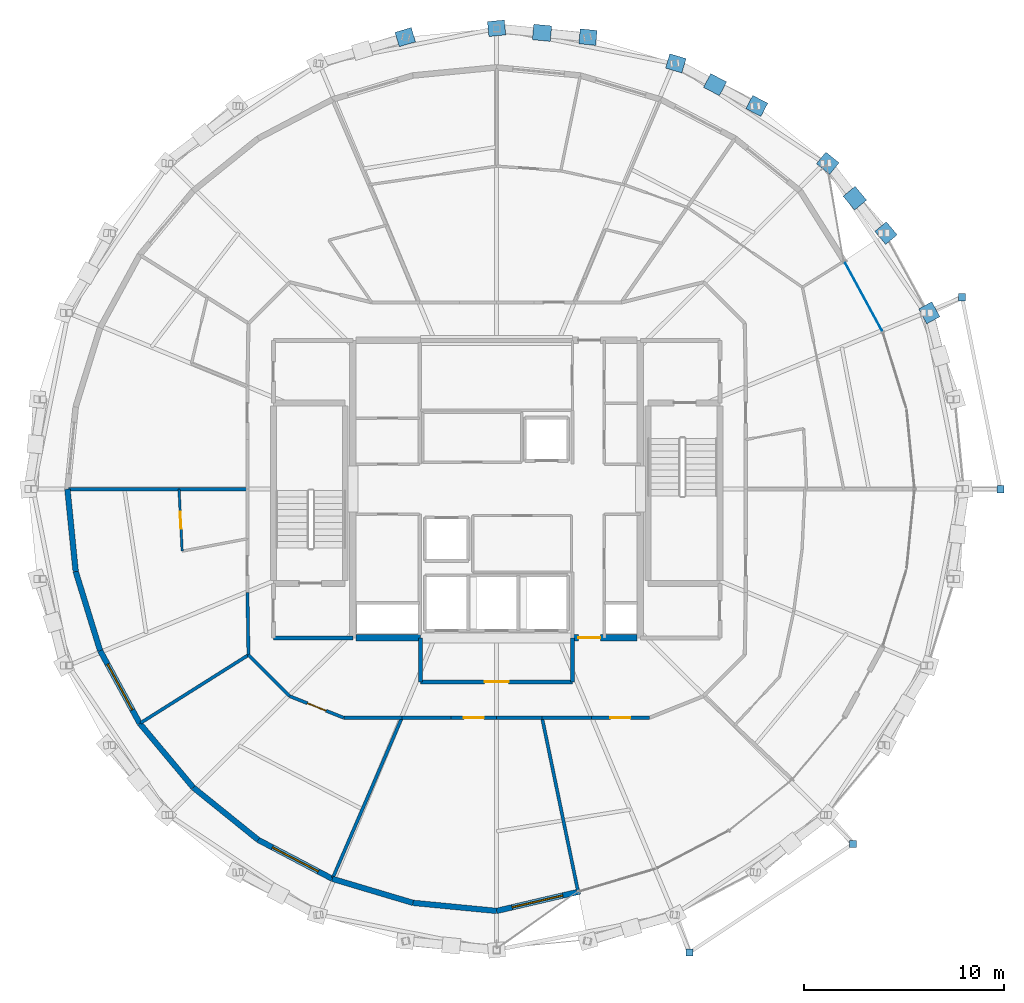
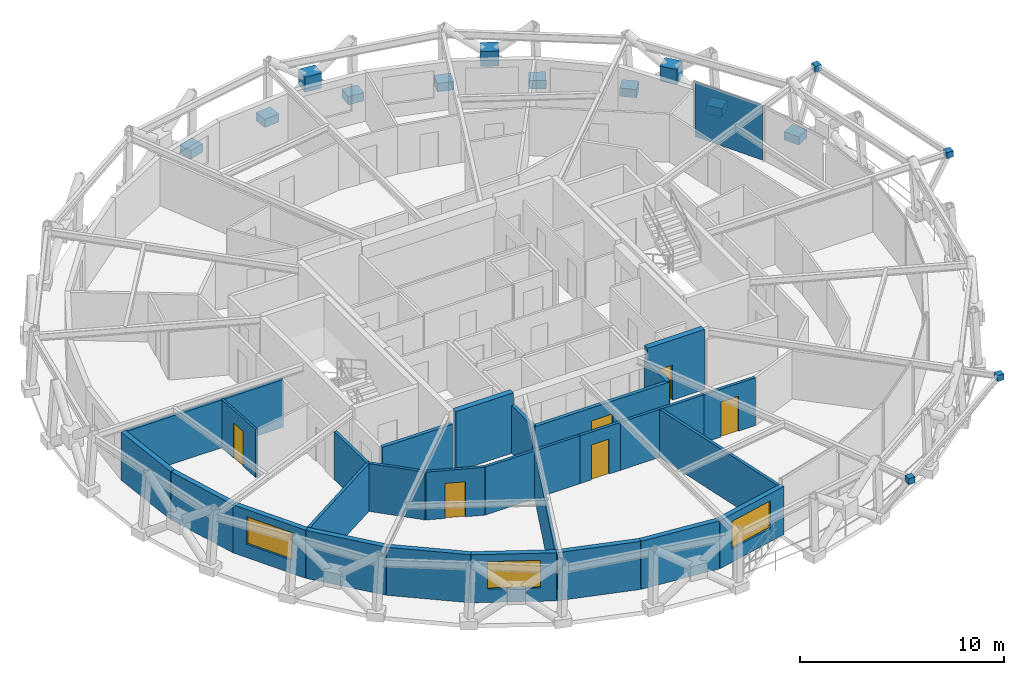
# One storey, part 13 of 18: 29 walls, 16 plates, 6 doors, 3 windows, 9 openings, 1 element without a shape of its own.
"""IFC4 building model written with IfcOpenShell, lengths in metres."""

import ifcopenshell
import ifcopenshell.guid

model = None  # the IFC model being written
_history = None  # IfcOwnerHistory: only IFC2X3 demands one
_inside = {}  # id of a spatial element -> (the spatial element, [elements in it])
_under = {}  # id of a project, library or spatial element -> (it, [spatial elements below it])
_declared = {}  # id of a project -> (the project, [libraries it declares])
_typed = {}  # id of a type object -> (the type object, [elements of that type])
_made_of = {}  # id of a material, layer set ... -> (it, [elements and type objects made of it])


def new_model(schema):
    """Start an empty IFC model of exactly this schema.

    Asked for "IFC4X3", IfcOpenShell would pick the latest addendum, in which some entities
    have other attributes; the version numbers below select the first issue.
    IFC2X3 requires an IfcOwnerHistory on every rooted entity: one is made here for all.
    """
    global model, _history
    if schema == "IFC4X3":
        model = ifcopenshell.file(schema_version=(4, 3, 0, 0))
    else:
        model = ifcopenshell.file(schema=schema)
    _inside.clear()
    _under.clear()
    _declared.clear()
    _typed.clear()
    _made_of.clear()
    _history = None
    if model.schema == "IFC2X3":
        org = make("IfcOrganization", Name="unknown")
        user = make(
            "IfcPersonAndOrganization",
            ThePerson=make("IfcPerson", FamilyName="unknown"),
            TheOrganization=org,
        )
        app = make(
            "IfcApplication",
            ApplicationDeveloper=org,
            Version="unknown",
            ApplicationFullName="unknown",
            ApplicationIdentifier="unknown",
        )
        _history = make(
            "IfcOwnerHistory",
            OwningUser=user,
            OwningApplication=app,
            ChangeAction="ADDED",
            CreationDate=0,
        )
    return model


def make(cls, **values):
    """One entity of the class cls with the attributes given. An attribute that is None is left unset."""
    return model.create_entity(
        cls, **{name: value for name, value in values.items() if value is not None}
    )


def rooted(cls, **values):
    """An entity with a GlobalId (a new one), such as an element, a storey or a relation."""
    return make(cls, GlobalId=ifcopenshell.guid.new(), OwnerHistory=_history, **values)


def si_unit(unit_type, name, prefix=None):
    """IfcSIUnit, for example si_unit("LENGTHUNIT", "METRE", prefix="MILLI")."""
    return make("IfcSIUnit", UnitType=unit_type, Prefix=prefix, Name=name)


def assignment(units):
    """IfcUnitAssignment: the units of a project."""
    return None if units is None else make("IfcUnitAssignment", Units=units)


def point(xyz):
    """IfcCartesianPoint."""
    return None if xyz is None else make("IfcCartesianPoint", Coordinates=xyz)


def direction(xyz):
    """IfcDirection."""
    return None if xyz is None else make("IfcDirection", DirectionRatios=xyz)


def frame(location, z_axis=None, x_axis=None):
    """IfcAxis2Placement3D, a coordinate frame: its origin and axes. An axis left out is left unset."""
    return make(
        "IfcAxis2Placement3D",
        Location=point(location),
        Axis=direction(z_axis),
        RefDirection=direction(x_axis),
    )


def frame_2d(location, x_axis=None):
    """IfcAxis2Placement2D, a coordinate frame in the plane: its origin and x axis."""
    return make(
        "IfcAxis2Placement2D", Location=point(location), RefDirection=direction(x_axis)
    )


def origin():
    """The frame at (0, 0, 0) with its axes left unset."""
    return frame((0.0, 0.0, 0.0))


def origin_2d():
    """The frame at (0, 0) in the plane with its x axis left unset."""
    return frame_2d((0.0, 0.0))


def place(relative_to, where):
    """IfcLocalPlacement: puts the frame where relative to a parent placement (None: the world)."""
    return make(
        "IfcLocalPlacement", PlacementRelTo=relative_to, RelativePlacement=where
    )


def context(
    kind, dimensions, precision=None, world=None, true_north=None, identifier=None
):
    """IfcGeometricRepresentationContext, for example the 3D "Model" context."""
    return make(
        "IfcGeometricRepresentationContext",
        ContextIdentifier=identifier,
        ContextType=kind,
        CoordinateSpaceDimension=dimensions,
        Precision=precision,
        WorldCoordinateSystem=world,
        TrueNorth=true_north,
    )


def subcontext(parent, identifier, kind, view, scale=None):
    """IfcGeometricRepresentationSubContext, for example "Body" below "Model"."""
    return make(
        "IfcGeometricRepresentationSubContext",
        ContextIdentifier=identifier,
        ContextType=kind,
        ParentContext=parent,
        TargetScale=scale,
        TargetView=view,
    )


def project(units=None, contexts=None):
    """IfcProject with its units and contexts."""
    return rooted(
        "IfcProject",
        Name="project",
        RepresentationContexts=contexts,
        UnitsInContext=assignment(units),
    )


def spatial(cls, under=None, at=None, **own):
    """A site, building, storey or space (cls), placed at a placement, below another one or the project."""
    s = rooted(cls, ObjectPlacement=at, **own)
    if under is not None:
        _under.setdefault(under.id(), (under, []))[1].append(s)
    return s


def profile(cls, at=None, kind="AREA", **sizes):
    """A parametric profile (cls). Its sizes go by their IFC names, for example OverallWidth=200.0."""
    return make(cls, ProfileType=kind, Position=at, **sizes)


def rectangle(**sizes):
    """IfcRectangleProfileDef."""
    return profile("IfcRectangleProfileDef", **sizes)


def extrude(swept, where, along, depth):
    """IfcExtrudedAreaSolid: the profile swept, set in the frame where, extruded along a direction by depth."""
    return make(
        "IfcExtrudedAreaSolid",
        SweptArea=swept,
        Position=where,
        ExtrudedDirection=direction(along),
        Depth=depth,
    )


def shape(context_of_items, identifier, shape_type, items):
    """IfcShapeRepresentation: the items that make up one representation, for example the "Body"."""
    return make(
        "IfcShapeRepresentation",
        ContextOfItems=context_of_items,
        RepresentationIdentifier=identifier,
        RepresentationType=shape_type,
        Items=items,
    )


def material(Name=None, Category=None):
    """IfcMaterial."""
    return make("IfcMaterial", Name=Name, Category=Category)


def layer(
    of_material, thickness, ventilated=None, Name=None, Category=None, Priority=None
):
    """IfcMaterialLayer: one layer of a wall or slab, of a material (None: an air gap)."""
    return make(
        "IfcMaterialLayer",
        Material=of_material,
        LayerThickness=thickness,
        IsVentilated=ventilated,
        Name=Name,
        Category=Category,
        Priority=Priority,
    )


def layer_set(layers, Name=None):
    """IfcMaterialLayerSet."""
    return make("IfcMaterialLayerSet", MaterialLayers=layers, LayerSetName=Name)


def made_of(thing, what):
    """Note that an element or type object is made of a material, layer set ...; save() writes the relation."""
    if what is not None:
        _made_of.setdefault(what.id(), (what, []))[1].append(thing)
    return thing


def type_object(cls, material=None, **own):
    """A type object (cls), such as IfcWallType, which elements share."""
    return made_of(rooted(cls, **own), material)


def element(
    cls,
    number,
    at=None,
    inside=None,
    cuts=None,
    type_object=None,
    material=None,
    context=None,
    identifier="Body",
    shape_type=None,
    held_by="IfcProductDefinitionShape",
    body=None,
    shapes=None,
    **own,
):
    """One element of the class cls, such as IfcWall. Its Tag is "e" and its number.

    at: its placement. inside: the storey or other place that contains it. cuts: it is an
    opening in that element (IfcRelVoidsElement). A single representation is given by context,
    identifier, shape_type and body (its items); several are given by shapes. held_by: the class
    of the entity that holds the representations. save() writes the other relations.
    """
    e = rooted(cls, Tag="e%d" % number, ObjectPlacement=at, **own)
    if body is not None:
        shapes = [shape(context, identifier, shape_type, body)]
    if shapes is not None:
        e.Representation = make(held_by, Representations=shapes)
    if inside is not None:
        _inside.setdefault(inside.id(), (inside, []))[1].append(e)
    if cuts is not None:
        rooted(
            "IfcRelVoidsElement", RelatingBuildingElement=cuts, RelatedOpeningElement=e
        )
    if type_object is not None:
        _typed.setdefault(type_object.id(), (type_object, []))[1].append(e)
    return made_of(e, material)


def fill(opening, filler):
    """IfcRelFillsElement: the door or window that sits in an opening."""
    return rooted(
        "IfcRelFillsElement",
        RelatingOpeningElement=opening,
        RelatedBuildingElement=filler,
    )


def aggregate(whole, parts):
    """IfcRelAggregates: a whole, such as a stair, and the parts it consists of."""
    return rooted("IfcRelAggregates", RelatingObject=whole, RelatedObjects=parts)


def save(model, path):
    """Write the relations noted so far, then the file.

    IfcRelAggregates (storeys below a building ...), IfcRelContainedInSpatialStructure (elements
    in a storey), IfcRelDefinesByType, IfcRelAssociatesMaterial and IfcRelDeclares: one each for
    every whole, place, type object, material and project.
    """
    for whole, parts in _under.values():
        aggregate(whole, parts)
    for where, things in _inside.values():
        rooted(
            "IfcRelContainedInSpatialStructure",
            RelatedElements=things,
            RelatingStructure=where,
        )
    for kind, things in _typed.values():
        rooted("IfcRelDefinesByType", RelatedObjects=things, RelatingType=kind)
    for what, things in _made_of.values():
        rooted("IfcRelAssociatesMaterial", RelatedObjects=things, RelatingMaterial=what)
    for by, libraries in _declared.values():
        rooted("IfcRelDeclares", RelatingContext=by, RelatedDefinitions=libraries)
    model.write(path)


model = new_model("IFC4")

# Units and contexts
model_context = context("Model", 3, precision=1e-05, world=origin(), true_north=direction((0.0, 1.0)))
body_context = subcontext(model_context, "Body", "Model", "MODEL_VIEW")
ifc_project = project(units=[si_unit("LENGTHUNIT", "METRE"), si_unit("AREAUNIT", "SQUARE_METRE"), si_unit("VOLUMEUNIT", "CUBIC_METRE"), si_unit("PLANEANGLEUNIT", "RADIAN"), si_unit("MASSUNIT", "GRAM", prefix="KILO")], contexts=[model_context])

# Site, building, storey
site_placement = place(None, origin())
site = spatial("IfcSite", under=ifc_project, at=site_placement, CompositionType="ELEMENT")
building_placement = place(site_placement, origin())
building = spatial("IfcBuilding", under=site, at=building_placement, Name="Veldorina Hangang Commons", CompositionType="ELEMENT")
storey_placement = place(building_placement, frame((0.0, 0.0, 243.60009765625)))
storey = spatial("IfcBuildingStorey", under=building, at=storey_placement, Name="L63", CompositionType="ELEMENT", Elevation=243.60009765625)

# Curtain wall, plate
ifc_material_1 = material(Name="Glass Low-E Selective", Category="glass")
ifc_layer_1 = layer(ifc_material_1, 0.179931640625)
ifc_layer_set_1 = layer_set([ifc_layer_1], Name="Glass Low-E Selective")
curtain_wall_type = type_object("IfcCurtainWallType", Name="CW-SYS-Z3", PredefinedType="NOTDEFINED", material=ifc_layer_set_1)
curtain_wall_placement = place(storey_placement, origin())
curtain_wall = element("IfcCurtainWall", 1, at=curtain_wall_placement, inside=storey, type_object=curtain_wall_type, Name="L63 unitised curtain wall CW-L63-R2", PredefinedType="NOTDEFINED")
ifc_material_2 = material(Name="Glass Low-E Triple IGU", Category="glass")
ifc_layer_2 = layer(ifc_material_2, 0.0400390625)
ifc_layer_set_2 = layer_set([ifc_layer_2], Name="Glass Low-E Triple IGU")
plate_type_1 = type_object("IfcPlateType", Name="CW-PNL-VIS", PredefinedType="CURTAIN_PANEL", material=ifc_layer_set_2)
plate_1_placement = place(storey_placement, frame((50.37255859375, 33.64599609375, 0.014892578125), z_axis=(0.0, 0.0, 1.0), x_axis=(-0.478002144155, 0.878358668303, 0.0)))
plate_1 = element("IfcPlate", 2, at=plate_1_placement, type_object=plate_type_1, Name="CW-L63-R2 facet 5 glazed vision panel", PredefinedType="CURTAIN_PANEL", context=body_context, shape_type="SweptSolid", body=[
    extrude(rectangle(XDim=3.8671875, YDim=0.0400390625, at=origin_2d()), origin(), (0.0, 0.0, 1.0), 3.2900390625),
])
aggregate(curtain_wall, [plate_1])

# Plates
ifc_material_3 = material(Name="Steel SM460-TMC", Category="steel")
ifc_layer_3 = layer(ifc_material_3, 0.035888671875)
ifc_layer_set_3 = layer_set([ifc_layer_3], Name="Steel SM460-TMC")
plate_type_2 = type_object("IfcPlateType", Name="PL-STAR-36", PredefinedType="USERDEFINED", material=ifc_layer_set_3)
for number, where, z_axis, x_axis, name in (
    (3, (53.66796875, 32.8330078125, -0.090087890625), (0.0, 0.0, 1.0), (-0.477250787156, 0.878767139895, 0.0), "L63 diagrid star-node gusset plate 02"),
    (4, (51.50048828125, 36.823486328125, -0.090087890625), (0.0, 0.0, 1.0), (-0.640431461169, 0.768015327676, 0.0), "L63 diagrid star-node gusset plate 03"),
):
    element("IfcPlate", number, at=place(storey_placement, frame(where, z_axis=z_axis, x_axis=x_axis)), inside=storey, type_object=plate_type_2, Name=name, ObjectType="GUSSET PLATE", PredefinedType="USERDEFINED", context=body_context, shape_type="SweptSolid", body=[
        extrude(rectangle(XDim=0.85009765625, YDim=0.75, at=origin_2d()), origin(), (0.0, 0.0, 1.0), 0.5),
    ])
plate_2_placement = place(storey_placement, frame((49.941650390625, 38.572509765625, 1.3544921875), z_axis=(0.0, 0.0, 1.0), x_axis=(-0.640431461169, 0.768015327676, 0.0)))
element("IfcPlate", 5, at=plate_2_placement, inside=storey, type_object=plate_type_2, Name="L63 diagrid X-crossing star-node gusset plate 03", ObjectType="GUSSET PLATE", PredefinedType="USERDEFINED", context=body_context, shape_type="SweptSolid", body=[
    extrude(rectangle(XDim=0.89990234375, YDim=0.780029296875, at=origin_2d()), origin(), (0.0, 0.0, 1.0), 0.89990234375),
])
for number, where, z_axis, x_axis, name in (
    (6, (48.583984375, 40.3212890625, -0.090087890625), (0.0, 0.0, 1.0), (-0.777947141507, 0.628329726355, 0.0), "L63 diagrid star-node gusset plate 04"),
    (7, (45.02978515625, 43.19189453125, -0.090087890625), (0.0, 0.0, 1.0), (-0.885012015769, 0.465568181843, 0.0), "L63 diagrid star-node gusset plate 05"),
):
    element("IfcPlate", number, at=place(storey_placement, frame(where, z_axis=z_axis, x_axis=x_axis)), inside=storey, type_object=plate_type_2, Name=name, ObjectType="GUSSET PLATE", PredefinedType="USERDEFINED", context=body_context, shape_type="SweptSolid", body=[
        extrude(rectangle(XDim=0.85009765625, YDim=0.75, at=origin_2d()), origin(), (0.0, 0.0, 1.0), 0.5),
    ])
plate_3_placement = place(storey_placement, frame((42.940673828125, 44.257568359375, 1.358154296875), z_axis=(0.0, 0.0, 1.0), x_axis=(-0.885012015769, 0.465568181843, 0.0)))
element("IfcPlate", 8, at=plate_3_placement, inside=storey, type_object=plate_type_2, Name="L63 diagrid X-crossing star-node gusset plate 05", ObjectType="GUSSET PLATE", PredefinedType="USERDEFINED", context=body_context, shape_type="SweptSolid", body=[
    extrude(rectangle(XDim=0.89990234375, YDim=0.780029296875, at=origin_2d()), origin(), (0.0, 0.0, 1.0), 0.89990234375),
])
for number, where, z_axis, x_axis, name in (
    (9, (40.97509765625, 45.32470703125, -0.090087890625), (0.0, 0.0, 1.0), (-0.958207814594, 0.286073039713, 0.0), "L63 diagrid star-node gusset plate 06"),
    (10, (36.575439453125, 46.63818359375, -0.090087890625), (0.0, 0.0, 1.0), (-0.995335780225, 0.096471159437, 0.0), "L63 diagrid star-node gusset plate 07"),
):
    element("IfcPlate", number, at=place(storey_placement, frame(where, z_axis=z_axis, x_axis=x_axis)), inside=storey, type_object=plate_type_2, Name=name, ObjectType="GUSSET PLATE", PredefinedType="USERDEFINED", context=body_context, shape_type="SweptSolid", body=[
        extrude(rectangle(XDim=0.85009765625, YDim=0.75, at=origin_2d()), origin(), (0.0, 0.0, 1.0), 0.5),
    ])
plate_4_placement = place(storey_placement, frame((34.2744140625, 46.855224609375, 1.3603515625), z_axis=(0.0, 0.0, 1.0), x_axis=(-0.995335780225, 0.096471159437, 0.0)))
element("IfcPlate", 11, at=plate_4_placement, inside=storey, type_object=plate_type_2, Name="L63 diagrid X-crossing star-node gusset plate 07", ObjectType="GUSSET PLATE", PredefinedType="USERDEFINED", context=body_context, shape_type="SweptSolid", body=[
    extrude(rectangle(XDim=0.89990234375, YDim=0.780029296875, at=origin_2d()), origin(), (0.0, 0.0, 1.0), 0.89990234375),
])
for number, where, z_axis, x_axis, name in (
    (12, (32.0, 47.081787109375, -0.090087890625), (0.0, 0.0, 1.0), (-0.995335780225, -0.096471159437, 0.0), "L63 diagrid star-node gusset plate 08"),
    (13, (27.424560546875, 46.63818359375, -0.090087890625), (0.0, 0.0, 1.0), (-0.958207814594, -0.286073039713, 0.0), "L63 diagrid star-node gusset plate 09"),
):
    element("IfcPlate", number, at=place(storey_placement, frame(where, z_axis=z_axis, x_axis=x_axis)), inside=storey, type_object=plate_type_2, Name=name, ObjectType="GUSSET PLATE", PredefinedType="USERDEFINED", context=body_context, shape_type="SweptSolid", body=[
        extrude(rectangle(XDim=0.85009765625, YDim=0.75, at=origin_2d()), origin(), (0.0, 0.0, 1.0), 0.5),
    ])
for number, where, z_axis, x_axis, name in (
    (14, (41.655029296875, 0.79248046875, 3.0048828125), (0.0, 0.0, 1.0), (1.0, 0.0, 0.0), "L64 tree balcony 1 strut end gusset A"),
    (15, (49.840087890625, 6.23779296875, 3.0048828125), (0.0, 0.0, 1.0), (1.0, 0.0, 0.0), "L64 tree balcony 1 strut end gusset B"),
    (16, (57.229736328125, 24.0, 3.0048828125), (0.0, 0.0, 1.0), (1.0, 0.0, 0.0), "L64 tree balcony 2 strut end gusset A"),
    (17, (55.309326171875, 33.61279296875, 3.0048828125), (0.0, 0.0, 1.0), (1.0, 0.0, 0.0), "L64 tree balcony 2 strut end gusset B"),
):
    element("IfcPlate", number, at=place(storey_placement, frame(where, z_axis=z_axis, x_axis=x_axis)), inside=storey, type_object=plate_type_2, Name=name, ObjectType="GUSSET PLATE", PredefinedType="USERDEFINED", context=body_context, shape_type="SweptSolid", body=[
        extrude(rectangle(XDim=0.360107421875, YDim=0.360107421875, at=origin_2d()), origin(), (0.0, 0.0, 1.0), 0.360107421875),
    ])

# Wall
ifc_material_4 = material(Name="Concrete C50/60", Category="concrete")
ifc_layer_4 = layer(ifc_material_4, 0.320068359375)
ifc_layer_set_4 = layer_set([ifc_layer_4], Name="Concrete C50/60")
wall_type_1 = type_object("IfcWallType", Name="CW-RC320-C50", PredefinedType="SHEAR", material=ifc_layer_set_4)
wall_1_placement = place(storey_placement, frame((24.9599609375, 16.550048828125, 0.0), z_axis=(0.0, 0.0, 1.0), x_axis=(1.0, 0.0, 0.0)))
element("IfcWall", 18, at=wall_1_placement, inside=storey, type_object=wall_type_1, Name="L63 south-west core shear wall", PredefinedType="SHEAR", context=body_context, shape_type="SweptSolid", body=[
    extrude(rectangle(XDim=3.239990234375, YDim=0.320068359375, at=frame_2d((1.6201171875, 0.0))), origin(), (0.0, 0.0, 1.0), 3.599853515625),
])

# Wall, opening, door
wall_2_placement = place(storey_placement, frame((35.800048828125, 16.550048828125, 0.0), z_axis=(0.0, 0.0, 1.0), x_axis=(1.0, 0.0, 0.0)))
wall_2 = element("IfcWall", 19, at=wall_2_placement, inside=storey, type_object=wall_type_1, Name="L63 south-east core shear wall", PredefinedType="SHEAR", context=body_context, shape_type="SweptSolid", body=[
    extrude(rectangle(XDim=3.239990234375, YDim=0.320068359375, at=frame_2d((1.6201171875, 0.0))), origin(), (0.0, 0.0, 1.0), 3.599853515625),
])
opening_1_placement = place(wall_2_placement, frame((0.300048828125, 0.0, 0.0)))
opening_1 = element("IfcOpeningElement", 20, at=opening_1_placement, cuts=wall_2, Name="Opening D-08", PredefinedType="OPENING", context=body_context, shape_type="SweptSolid", body=[
    extrude(rectangle(XDim=1.10009765625, YDim=2.10009765625, at=frame_2d((0.550048828125, 1.050048828125))), frame((0.0, 0.169921875, 0.0), z_axis=(0.0, -1.0, 0.0), x_axis=(1.0, 0.0, 0.0)), (0.0, 0.0, 1.0), 0.340087890625),
])
ifc_material_5 = material(Name="Steel Fire-Rated Smoke Seal", Category="steel")
door_type_1 = type_object("IfcDoorType", Name="DR-FIRE-1100", OperationType="SINGLE_SWING_RIGHT", PredefinedType="DOOR", material=ifc_material_5)
door_1_placement = place(opening_1_placement, origin())
door_1 = element("IfcDoor", 21, at=door_1_placement, inside=storey, type_object=door_type_1, Name="L63 central lift lobby south corridor door", OperationType="SINGLE_SWING_RIGHT", OverallHeight=2.10009765625, OverallWidth=1.10009765625, PredefinedType="DOOR", context=body_context, shape_type="SweptSolid", body=[
    extrude(rectangle(XDim=1.10009765625, YDim=2.10009765625, at=frame_2d((0.550048828125, 1.050048828125))), frame((0.0, 0.02490234375, 0.0), z_axis=(0.0, -1.0, 0.0), x_axis=(1.0, 0.0, 0.0)), (0.0, 0.0, 1.0), 0.050048828125),
])
fill(opening_1, door_1)

# Walls
ifc_material_6 = material(Name="Stone Roman Travertine", Category="masonry")
ifc_layer_5 = layer(ifc_material_6, 0.280029296875)
ifc_layer_set_5 = layer_set([ifc_layer_5], Name="Stone Roman Travertine")
wall_type_2 = type_object("IfcWallType", Name="EW-TRAV-280", PredefinedType="STANDARD", material=ifc_layer_set_5)
wall_3_placement = place(storey_placement, frame((10.5068359375, 24.0, 0.0), z_axis=(0.0, 0.0, 1.0), x_axis=(0.099748868054, -0.995012644805, 0.0)))
element("IfcWall", 22, at=wall_3_placement, inside=storey, type_object=wall_type_2, Name="L63 travertine facade wall 16", PredefinedType="STANDARD", context=body_context, shape_type="SweptSolid", body=[
    extrude(rectangle(XDim=4.141357421875, YDim=0.280029296875, at=frame_2d((2.07080078125, 0.0))), origin(), (0.0, 0.0, 1.0), 2.8798828125),
])
wall_4_placement = place(storey_placement, frame((10.919921875, 19.87939453125, 0.0), z_axis=(0.0, 0.0, 1.0), x_axis=(0.294900751468, -0.955527889066, 0.0)))
element("IfcWall", 23, at=wall_4_placement, inside=storey, type_object=wall_type_2, Name="L63 travertine facade wall 17", PredefinedType="STANDARD", context=body_context, shape_type="SweptSolid", body=[
    extrude(rectangle(XDim=4.146728515625, YDim=0.280029296875, at=frame_2d((2.0732421875, 0.0))), origin(), (0.0, 0.0, 1.0), 2.8798828125),
])

# Wall, opening, window
wall_5_placement = place(storey_placement, frame((12.142822265625, 15.9169921875, 0.0), z_axis=(0.0, 0.0, 1.0), x_axis=(0.477839535555, -0.878447140277, 0.0)))
wall_5 = element("IfcWall", 24, at=wall_5_placement, inside=storey, type_object=wall_type_2, Name="L63 travertine facade wall 18", PredefinedType="STANDARD", context=body_context, shape_type="SweptSolid", body=[
    extrude(rectangle(XDim=4.156982421875, YDim=0.280029296875, at=frame_2d((2.07861328125, 0.0))), origin(), (0.0, 0.0, 1.0), 2.8798828125),
])
opening_2_placement = place(wall_5_placement, frame((0.7783203125, 0.0, 0.800048828125)))
opening_2 = element("IfcOpeningElement", 25, at=opening_2_placement, cuts=wall_5, Name="Opening W-02", PredefinedType="OPENING", context=body_context, shape_type="SweptSolid", body=[
    extrude(rectangle(XDim=2.60009765625, YDim=1.64990234375, at=frame_2d((1.300048828125, 0.824951171875))), frame((0.0, 0.14990234375, 0.0), z_axis=(0.0, -1.0, 0.0), x_axis=(1.0, 0.0, 0.0)), (0.0, 0.0, 1.0), 0.300048828125),
])
window_type = type_object("IfcWindowType", Name="WIN-TWR-2600", PartitioningType="SINGLE_PANEL", PredefinedType="WINDOW", material=ifc_material_2)
window_1_placement = place(opening_2_placement, origin())
window_1 = element("IfcWindow", 26, at=window_1_placement, inside=storey, type_object=window_type, Name="L63 facade window 18", OverallHeight=1.64990234375, OverallWidth=2.60009765625, PartitioningType="SINGLE_PANEL", PredefinedType="WINDOW", context=body_context, shape_type="SweptSolid", body=[
    extrude(rectangle(XDim=2.60009765625, YDim=1.64990234375, at=frame_2d((1.300048828125, 0.824951171875))), frame((0.0, 0.030029296875, 0.0), z_axis=(0.0, -1.0, 0.0), x_axis=(1.0, 0.0, 0.0)), (0.0, 0.0, 1.0), 0.06005859375),
])
fill(opening_2, window_1)

# Walls
wall_6_placement = place(storey_placement, frame((14.129150390625, 12.265380859375, 0.0), z_axis=(0.0, 0.0, 1.0), x_axis=(0.64097876836, -0.767558609171, 0.0)))
element("IfcWall", 27, at=wall_6_placement, inside=storey, type_object=wall_type_2, Name="L63 travertine facade wall 19", PredefinedType="STANDARD", context=body_context, shape_type="SweptSolid", body=[
    extrude(rectangle(XDim=4.169921875, YDim=0.280029296875, at=frame_2d((2.0849609375, 0.0))), origin(), (0.0, 0.0, 1.0), 2.8798828125),
])
wall_7_placement = place(storey_placement, frame((16.802001953125, 9.064697265625, 0.0), z_axis=(0.0, 0.0, 1.0), x_axis=(0.778409360575, -0.627757012999, 0.0)))
element("IfcWall", 28, at=wall_7_placement, inside=storey, type_object=wall_type_2, Name="L63 travertine facade wall 20", PredefinedType="STANDARD", context=body_context, shape_type="SweptSolid", body=[
    extrude(rectangle(XDim=4.184326171875, YDim=0.280029296875, at=frame_2d((2.09228515625, 0.0))), origin(), (0.0, 0.0, 1.0), 2.8798828125),
])

# Wall, opening, window
wall_8_placement = place(storey_placement, frame((20.05908203125, 6.43798828125, 0.0), z_axis=(0.0, 0.0, 1.0), x_axis=(0.885290153249, -0.46503907853, 0.0)))
wall_8 = element("IfcWall", 29, at=wall_8_placement, inside=storey, type_object=wall_type_2, Name="L63 travertine facade wall 21", PredefinedType="STANDARD", context=body_context, shape_type="SweptSolid", body=[
    extrude(rectangle(XDim=4.197265625, YDim=0.280029296875, at=frame_2d((2.0986328125, 0.0))), origin(), (0.0, 0.0, 1.0), 2.8798828125),
])
opening_3_placement = place(wall_8_placement, frame((0.798583984375, 0.0, 0.800048828125)))
opening_3 = element("IfcOpeningElement", 30, at=opening_3_placement, cuts=wall_8, Name="Opening W-02", PredefinedType="OPENING", context=body_context, shape_type="SweptSolid", body=[
    extrude(rectangle(XDim=2.60009765625, YDim=1.64990234375, at=frame_2d((1.300048828125, 0.824951171875))), frame((0.0, 0.14990234375, 0.0), z_axis=(0.0, -1.0, 0.0), x_axis=(1.0, 0.0, 0.0)), (0.0, 0.0, 1.0), 0.300048828125),
])
window_2_placement = place(opening_3_placement, origin())
window_2 = element("IfcWindow", 31, at=window_2_placement, inside=storey, type_object=window_type, Name="L63 facade window 21", OverallHeight=1.64990234375, OverallWidth=2.60009765625, PartitioningType="SINGLE_PANEL", PredefinedType="WINDOW", context=body_context, shape_type="SweptSolid", body=[
    extrude(rectangle(XDim=2.60009765625, YDim=1.64990234375, at=frame_2d((1.300048828125, 0.824951171875))), frame((0.0, 0.030029296875, 0.0), z_axis=(0.0, -1.0, 0.0), x_axis=(1.0, 0.0, 0.0)), (0.0, 0.0, 1.0), 0.06005859375),
])
fill(opening_3, window_2)

# Walls
wall_9_placement = place(storey_placement, frame((23.77490234375, 4.486083984375, 0.0), z_axis=(0.0, 0.0, 1.0), x_axis=(0.958312014412, -0.285723788009, 0.0)))
element("IfcWall", 32, at=wall_9_placement, inside=storey, type_object=wall_type_2, Name="L63 travertine facade wall 22", PredefinedType="STANDARD", context=body_context, shape_type="SweptSolid", body=[
    extrude(rectangle(XDim=4.207275390625, YDim=0.280029296875, at=frame_2d((2.103515625, 0.0))), origin(), (0.0, 0.0, 1.0), 2.8798828125),
])
wall_10_placement = place(storey_placement, frame((27.806884765625, 3.283935546875, 0.0), z_axis=(0.0, 0.0, 1.0), x_axis=(0.995350551252, -0.096318638497, 0.0)))
element("IfcWall", 33, at=wall_10_placement, inside=storey, type_object=wall_type_2, Name="L63 travertine facade wall 23", PredefinedType="STANDARD", context=body_context, shape_type="SweptSolid", body=[
    extrude(rectangle(XDim=4.212646484375, YDim=0.280029296875, at=frame_2d((2.1064453125, 0.0))), origin(), (0.0, 0.0, 1.0), 2.8798828125),
])

# Wall, opening, window
wall_11_placement = place(storey_placement, frame((32.0, 2.878173828125, 0.0), z_axis=(0.0, 0.0, 1.0), x_axis=(0.973725543954, 0.227724757223, 0.0)))
wall_11 = element("IfcWall", 34, at=wall_11_placement, inside=storey, type_object=wall_type_2, Name="L63 travertine facade wall 24", PredefinedType="STANDARD", context=body_context, shape_type="SweptSolid", body=[
    extrude(rectangle(XDim=4.2861328125, YDim=0.280029296875, at=frame_2d((2.14306640625, 0.0))), origin(), (0.0, 0.0, 1.0), 2.8798828125),
])
opening_4_placement = place(wall_11_placement, frame((0.797119140625, 0.0, 0.800048828125)))
opening_4 = element("IfcOpeningElement", 35, at=opening_4_placement, cuts=wall_11, Name="Opening W-02", PredefinedType="OPENING", context=body_context, shape_type="SweptSolid", body=[
    extrude(rectangle(XDim=2.60009765625, YDim=1.64990234375, at=frame_2d((1.300048828125, 0.824951171875))), frame((0.0, 0.14990234375, 0.0), z_axis=(0.0, -1.0, 0.0), x_axis=(1.0, 0.0, 0.0)), (0.0, 0.0, 1.0), 0.300048828125),
])
window_3_placement = place(opening_4_placement, origin())
window_3 = element("IfcWindow", 36, at=window_3_placement, inside=storey, type_object=window_type, Name="L63 facade window 24", OverallHeight=1.64990234375, OverallWidth=2.60009765625, PartitioningType="SINGLE_PANEL", PredefinedType="WINDOW", context=body_context, shape_type="SweptSolid", body=[
    extrude(rectangle(XDim=2.60009765625, YDim=1.64990234375, at=frame_2d((1.300048828125, 0.824951171875))), frame((0.0, 0.030029296875, 0.0), z_axis=(0.0, -1.0, 0.0), x_axis=(1.0, 0.0, 0.0)), (0.0, 0.0, 1.0), 0.06005859375),
])
fill(opening_4, window_3)

# Walls
ifc_material_7 = material(Name="Gypsum Fire-Rated Twin Stud Wall", Category="gypsum")
ifc_layer_6 = layer(ifc_material_7, 0.159912109375)
ifc_layer_set_6 = layer_set([ifc_layer_6], Name="Gypsum Fire-Rated Twin Stud Wall")
wall_type_3 = type_object("IfcWallType", Name="WL-FIRE-160", PredefinedType="SOLIDWALL", material=ifc_layer_set_6)
wall_12_placement = place(storey_placement, frame((19.52001953125, 18.83056640625, 0.0), z_axis=(0.0, 0.0, 1.0), x_axis=(0.016981035134, -0.999855811828, 0.0)))
element("IfcWall", 37, at=wall_12_placement, inside=storey, type_object=wall_type_3, Name="L63 Compact collar outer wall 18 070", PredefinedType="SOLIDWALL", context=body_context, shape_type="SweptSolid", body=[
    extrude(rectangle(XDim=3.13427734375, YDim=0.159912109375, at=frame_2d((1.567138671875, 0.0))), origin(), (0.0, 0.0, 1.0), 2.869873046875),
])
wall_13_placement = place(storey_placement, frame((19.5732421875, 15.69677734375, 0.0), z_axis=(0.0, 0.0, 1.0), x_axis=(0.707106781187, -0.707106781187, 0.0)))
element("IfcWall", 38, at=wall_13_placement, inside=storey, type_object=wall_type_3, Name="L63 Compact collar outer wall 19 071", PredefinedType="SOLIDWALL", context=body_context, shape_type="SweptSolid", body=[
    extrude(rectangle(XDim=2.915771484375, YDim=0.159912109375, at=frame_2d((1.4580078125, 0.0))), origin(), (0.0, 0.0, 1.0), 2.869873046875),
])

# Wall, opening, door
wall_14_placement = place(storey_placement, frame((21.635009765625, 13.635009765625, 0.0), z_axis=(0.0, 0.0, 1.0), x_axis=(0.92856882165, -0.371160266542, 0.0)))
wall_14 = element("IfcWall", 39, at=wall_14_placement, inside=storey, type_object=wall_type_3, Name="L63 Compact collar outer wall 20 072", PredefinedType="SOLIDWALL", context=body_context, shape_type="SweptSolid", body=[
    extrude(rectangle(XDim=2.923095703125, YDim=0.159912109375, at=frame_2d((1.46142578125, 0.0))), origin(), (0.0, 0.0, 1.0), 2.869873046875),
])
opening_5_placement = place(wall_14_placement, frame((0.961669921875, 0.0, 0.0)))
opening_5 = element("IfcOpeningElement", 40, at=opening_5_placement, cuts=wall_14, Name="Opening D-05", PredefinedType="OPENING", context=body_context, shape_type="SweptSolid", body=[
    extrude(rectangle(XDim=1.0, YDim=2.10009765625, at=frame_2d((0.5, 1.050048828125))), frame((0.0, 0.08984375, 0.0), z_axis=(0.0, -1.0, 0.0), x_axis=(1.0, 0.0, 0.0)), (0.0, 0.0, 1.0), 0.179931640625),
])
ifc_material_8 = material(Name="Timber Solid Core Acoustic", Category="wood")
door_type_2 = type_object("IfcDoorType", Name="DR-INT-1000", OperationType="SINGLE_SWING_RIGHT", PredefinedType="DOOR", material=ifc_material_8)
door_2_placement = place(opening_5_placement, origin())
door_2 = element("IfcDoor", 41, at=door_2_placement, inside=storey, type_object=door_type_2, Name="L63 Floor Study Room 7 door 038", OperationType="SINGLE_SWING_RIGHT", OverallHeight=2.10009765625, OverallWidth=1.0, PredefinedType="DOOR", context=body_context, shape_type="SweptSolid", body=[
    extrude(rectangle(XDim=1.0, YDim=2.10009765625, at=frame_2d((0.5, 1.050048828125))), frame((0.0, 0.02490234375, 0.0), z_axis=(0.0, -1.0, 0.0), x_axis=(1.0, 0.0, 0.0)), (0.0, 0.0, 1.0), 0.050048828125),
])
fill(opening_5, door_2)

# Walls
wall_15_placement = place(storey_placement, frame((24.349365234375, 12.550048828125, 0.0), z_axis=(0.0, 0.0, 1.0), x_axis=(1.0, 0.0, 0.0)))
element("IfcWall", 42, at=wall_15_placement, inside=storey, type_object=wall_type_3, Name="L63 Compact collar outer wall 21 073", PredefinedType="SOLIDWALL", context=body_context, shape_type="SweptSolid", body=[
    extrude(rectangle(XDim=2.907958984375, YDim=0.159912109375, at=frame_2d((1.4541015625, 0.0))), origin(), (0.0, 0.0, 1.0), 2.869873046875),
])
wall_16_placement = place(storey_placement, frame((27.25732421875, 12.550048828125, 0.0), z_axis=(0.0, 0.0, 1.0), x_axis=(1.0, 0.0, 0.0)))
element("IfcWall", 43, at=wall_16_placement, inside=storey, type_object=wall_type_3, Name="L63 Compact collar outer wall 22 074", PredefinedType="SOLIDWALL", context=body_context, shape_type="SweptSolid", body=[
    extrude(rectangle(XDim=2.465087890625, YDim=0.159912109375, at=frame_2d((1.232421875, 0.0))), origin(), (0.0, 0.0, 1.0), 2.869873046875),
])

# Wall, opening, door
wall_17_placement = place(storey_placement, frame((29.722412109375, 12.550048828125, 0.0), z_axis=(0.0, 0.0, 1.0), x_axis=(1.0, 0.0, 0.0)))
wall_17 = element("IfcWall", 44, at=wall_17_placement, inside=storey, type_object=wall_type_3, Name="L63 Compact collar outer wall 23 075", PredefinedType="SOLIDWALL", context=body_context, shape_type="SweptSolid", body=[
    extrude(rectangle(XDim=2.277587890625, YDim=0.159912109375, at=frame_2d((1.138671875, 0.0))), origin(), (0.0, 0.0, 1.0), 2.869873046875),
])
opening_6_placement = place(wall_17_placement, frame((0.638671875, 0.0, 0.0)))
opening_6 = element("IfcOpeningElement", 45, at=opening_6_placement, cuts=wall_17, Name="Opening D-05", PredefinedType="OPENING", context=body_context, shape_type="SweptSolid", body=[
    extrude(rectangle(XDim=1.0, YDim=2.10009765625, at=frame_2d((0.5, 1.050048828125))), frame((0.0, 0.08984375, 0.0), z_axis=(0.0, -1.0, 0.0), x_axis=(1.0, 0.0, 0.0)), (0.0, 0.0, 1.0), 0.179931640625),
])
door_3_placement = place(opening_6_placement, origin())
door_3 = element("IfcDoor", 46, at=door_3_placement, inside=storey, type_object=door_type_2, Name="L63 Floor Study Room 8 door 039", OperationType="SINGLE_SWING_LEFT", OverallHeight=2.10009765625, OverallWidth=1.0, PredefinedType="DOOR", context=body_context, shape_type="SweptSolid", body=[
    extrude(rectangle(XDim=1.0, YDim=2.10009765625, at=frame_2d((0.5, 1.050048828125))), frame((0.0, 0.02490234375, 0.0), z_axis=(0.0, -1.0, 0.0), x_axis=(1.0, 0.0, 0.0)), (0.0, 0.0, 1.0), 0.050048828125),
])
fill(opening_6, door_3)

# Walls
wall_18_placement = place(storey_placement, frame((32.0, 12.550048828125, 0.0), z_axis=(0.0, 0.0, 1.0), x_axis=(1.0, 0.0, 0.0)))
element("IfcWall", 47, at=wall_18_placement, inside=storey, type_object=wall_type_3, Name="L63 Compact collar outer wall 24 076", PredefinedType="SOLIDWALL", context=body_context, shape_type="SweptSolid", body=[
    extrude(rectangle(XDim=2.277587890625, YDim=0.159912109375, at=frame_2d((1.138671875, 0.0))), origin(), (0.0, 0.0, 1.0), 2.869873046875),
])
wall_19_placement = place(storey_placement, frame((34.277587890625, 12.550048828125, 0.0), z_axis=(0.0, 0.0, 1.0), x_axis=(1.0, 0.0, 0.0)))
element("IfcWall", 48, at=wall_19_placement, inside=storey, type_object=wall_type_3, Name="L63 Compact collar outer wall 25 077", PredefinedType="SOLIDWALL", context=body_context, shape_type="SweptSolid", body=[
    extrude(rectangle(XDim=2.465087890625, YDim=0.159912109375, at=frame_2d((1.232421875, 0.0))), origin(), (0.0, 0.0, 1.0), 2.869873046875),
])

# Wall, opening, door
wall_20_placement = place(storey_placement, frame((36.74267578125, 12.550048828125, 0.0), z_axis=(0.0, 0.0, 1.0), x_axis=(1.0, 0.0, 0.0)))
wall_20 = element("IfcWall", 49, at=wall_20_placement, inside=storey, type_object=wall_type_3, Name="L63 Compact collar outer wall 26 078", PredefinedType="SOLIDWALL", context=body_context, shape_type="SweptSolid", body=[
    extrude(rectangle(XDim=2.907958984375, YDim=0.159912109375, at=frame_2d((1.4541015625, 0.0))), origin(), (0.0, 0.0, 1.0), 2.869873046875),
])
opening_7_placement = place(wall_20_placement, frame((0.9541015625, 0.0, 0.0)))
opening_7 = element("IfcOpeningElement", 50, at=opening_7_placement, cuts=wall_20, Name="Opening D-05", PredefinedType="OPENING", context=body_context, shape_type="SweptSolid", body=[
    extrude(rectangle(XDim=1.0, YDim=2.10009765625, at=frame_2d((0.5, 1.050048828125))), frame((0.0, 0.08984375, 0.0), z_axis=(0.0, -1.0, 0.0), x_axis=(1.0, 0.0, 0.0)), (0.0, 0.0, 1.0), 0.179931640625),
])
door_4_placement = place(opening_7_placement, origin())
door_4 = element("IfcDoor", 51, at=door_4_placement, inside=storey, type_object=door_type_2, Name="L63 Seminar Focus Room 9 door 040", OperationType="SINGLE_SWING_RIGHT", OverallHeight=2.10009765625, OverallWidth=1.0, PredefinedType="DOOR", context=body_context, shape_type="SweptSolid", body=[
    extrude(rectangle(XDim=1.0, YDim=2.10009765625, at=frame_2d((0.5, 1.050048828125))), frame((0.0, 0.02490234375, 0.0), z_axis=(0.0, -1.0, 0.0), x_axis=(1.0, 0.0, 0.0)), (0.0, 0.0, 1.0), 0.050048828125),
])
fill(opening_7, door_4)

# Walls
wall_21_placement = place(storey_placement, frame((19.52001953125, 24.0, 0.0), z_axis=(0.0, 0.0, 1.0), x_axis=(-1.0, 0.0, 0.0)))
element("IfcWall", 52, at=wall_21_placement, inside=storey, type_object=wall_type_3, Name="L63 Unit party wall 16 111", PredefinedType="SOLIDWALL", context=body_context, shape_type="SweptSolid", body=[
    extrude(rectangle(XDim=8.963134765625, YDim=0.159912109375, at=frame_2d((4.4814453125, 0.0))), origin(), (0.0, 0.0, 1.0), 2.869873046875),
])
wall_22_placement = place(storey_placement, frame((19.5732421875, 15.69677734375, 0.0), z_axis=(0.0, 0.0, 1.0), x_axis=(-0.845977345185, -0.533218840096, 0.0)))
element("IfcWall", 53, at=wall_22_placement, inside=storey, type_object=wall_type_3, Name="L63 Unit party wall 19 114", PredefinedType="SOLIDWALL", context=body_context, shape_type="SweptSolid", body=[
    extrude(rectangle(XDim=6.38525390625, YDim=0.159912109375, at=frame_2d((3.192626953125, 0.0))), origin(), (0.0, 0.0, 1.0), 2.869873046875),
])
wall_23_placement = place(storey_placement, frame((27.25732421875, 12.550048828125, 0.0), z_axis=(0.0, 0.0, 1.0), x_axis=(-0.396464931031, -0.918049867089, 0.0)))
element("IfcWall", 54, at=wall_23_placement, inside=storey, type_object=wall_type_3, Name="L63 Unit party wall 22 115", PredefinedType="SOLIDWALL", context=body_context, shape_type="SweptSolid", body=[
    extrude(rectangle(XDim=8.73388671875, YDim=0.159912109375, at=frame_2d((4.366943359375, 0.0))), origin(), (0.0, 0.0, 1.0), 2.869873046875),
])
wall_24_placement = place(storey_placement, frame((34.277587890625, 12.550048828125, 0.0), z_axis=(0.0, 0.0, 1.0), x_axis=(0.202911120266, -0.979197159551, 0.0)))
element("IfcWall", 55, at=wall_24_placement, inside=storey, type_object=wall_type_3, Name="L63 Unit party wall 25 116", PredefinedType="SOLIDWALL", context=body_context, shape_type="SweptSolid", body=[
    extrude(rectangle(XDim=8.851806640625, YDim=0.159912109375, at=frame_2d((4.42578125, 0.0))), origin(), (0.0, 0.0, 1.0), 2.869873046875),
])
ifc_material_9 = material(Name="Concrete Blockwork Fire Wall C30/37", Category="masonry")
ifc_layer_7 = layer(ifc_material_9, 0.199951171875)
ifc_layer_set_7 = layer_set([ifc_layer_7], Name="Concrete Blockwork Fire Wall C30/37")
wall_type_4 = type_object("IfcWallType", Name="WL-FIRE-200", PredefinedType="SOLIDWALL", material=ifc_layer_set_7)
wall_25_placement = place(storey_placement, frame((20.820068359375, 16.550048828125, 0.0), z_axis=(0.0, 0.0, 1.0), x_axis=(1.0, 0.0, 0.0)))
element("IfcWall", 56, at=wall_25_placement, inside=storey, type_object=wall_type_4, Name="L63 West vestibule south wall 002", PredefinedType="SOLIDWALL", context=body_context, shape_type="SweptSolid", body=[
    extrude(rectangle(XDim=3.97998046875, YDim=0.199951171875, at=frame_2d((1.989990234375, 0.0))), origin(), (0.0, 0.0, 1.0), 2.869873046875),
])
for number, where, z_axis, x_axis, name in (
    (57, (28.199951171875, 14.35009765625, 0.0), (0.0, 0.0, 1.0), (0.0, 1.0, 0.0), "L63 FF lobby west wall 012"),
    (58, (35.800048828125, 14.35009765625, 0.0), (0.0, 0.0, 1.0), (0.0, 1.0, 0.0), "L63 FF lobby east wall 013"),
):
    element("IfcWall", number, at=place(storey_placement, frame(where, z_axis=z_axis, x_axis=x_axis)), inside=storey, type_object=wall_type_4, Name=name, PredefinedType="SOLIDWALL", context=body_context, shape_type="SweptSolid", body=[
        extrude(rectangle(XDim=2.199951171875, YDim=0.199951171875, at=frame_2d((1.10009765625, 0.0))), origin(), (0.0, 0.0, 1.0), 2.869873046875),
    ])

# Wall, opening, door
wall_26_placement = place(storey_placement, frame((28.199951171875, 14.35009765625, 0.0), z_axis=(0.0, 0.0, 1.0), x_axis=(1.0, 0.0, 0.0)))
wall_26 = element("IfcWall", 59, at=wall_26_placement, inside=storey, type_object=wall_type_4, Name="L63 FF lobby south wall 014", PredefinedType="SOLIDWALL", context=body_context, shape_type="SweptSolid", body=[
    extrude(rectangle(XDim=7.60009765625, YDim=0.199951171875, at=frame_2d((3.800048828125, 0.0))), origin(), (0.0, 0.0, 1.0), 2.869873046875),
])
opening_8_placement = place(wall_26_placement, frame((3.199951171875, 0.0, 0.0)))
opening_8 = element("IfcOpeningElement", 60, at=opening_8_placement, cuts=wall_26, Name="Opening D-09", PredefinedType="OPENING", context=body_context, shape_type="SweptSolid", body=[
    extrude(rectangle(XDim=1.199951171875, YDim=2.10009765625, at=frame_2d((0.60009765625, 1.050048828125))), frame((0.0, 0.10986328125, 0.0), z_axis=(0.0, -1.0, 0.0), x_axis=(1.0, 0.0, 0.0)), (0.0, 0.0, 1.0), 0.219970703125),
])
ifc_material_10 = material(Name="Steel Fire-Rated Corridor Door", Category="steel")
door_type_3 = type_object("IfcDoorType", Name="DR-FIRE-1200", OperationType="SINGLE_SWING_LEFT", PredefinedType="DOOR", material=ifc_material_10)
door_5_placement = place(opening_8_placement, origin())
door_5 = element("IfcDoor", 61, at=door_5_placement, inside=storey, type_object=door_type_3, Name="L63 FF lobby south corridor door 005", OperationType="SINGLE_SWING_LEFT", OverallHeight=2.10009765625, OverallWidth=1.199951171875, PredefinedType="DOOR", context=body_context, shape_type="SweptSolid", body=[
    extrude(rectangle(XDim=1.199951171875, YDim=2.10009765625, at=frame_2d((0.60009765625, 1.050048828125))), frame((0.0, 0.02490234375, 0.0), z_axis=(0.0, -1.0, 0.0), x_axis=(1.0, 0.0, 0.0)), (0.0, 0.0, 1.0), 0.050048828125),
])
fill(opening_8, door_5)

ifc_material_11 = material(Name="Gypsum Acoustic Stud Partition", Category="gypsum")
ifc_layer_8 = layer(ifc_material_11, 0.1201171875)
ifc_layer_set_8 = layer_set([ifc_layer_8], Name="Gypsum Acoustic Stud Partition")
wall_type_5 = type_object("IfcWallType", Name="WL-PART-120", PredefinedType="PARTITIONING", material=ifc_layer_set_8)
wall_27_placement = place(storey_placement, frame((16.094970703125, 24.0, 0.0), z_axis=(0.0, 0.0, 1.0), x_axis=(0.050493770541, -0.99872437596, 0.0)))
wall_27 = element("IfcWall", 62, at=wall_27_placement, inside=storey, type_object=wall_type_5, Name="L63 Studio 6 bath front wall 112", PredefinedType="PARTITIONING", context=body_context, shape_type="SweptSolid", body=[
    extrude(rectangle(XDim=3.10888671875, YDim=0.1201171875, at=frame_2d((1.554443359375, 0.0))), origin(), (0.0, 0.0, 1.0), 2.869873046875),
])
opening_9_placement = place(wall_27_placement, frame((1.12451171875, 0.0, 0.0)))
opening_9 = element("IfcOpeningElement", 63, at=opening_9_placement, cuts=wall_27, Name="Opening D-01", PredefinedType="OPENING", context=body_context, shape_type="SweptSolid", body=[
    extrude(rectangle(XDim=0.860107421875, YDim=2.10009765625, at=frame_2d((0.43017578125, 1.050048828125))), frame((0.0, 0.070068359375, 0.0), z_axis=(0.0, -1.0, 0.0), x_axis=(1.0, 0.0, 0.0)), (0.0, 0.0, 1.0), 0.14013671875),
])
ifc_material_12 = material(Name="Timber Moisture-Resistant Core", Category="wood")
door_type_4 = type_object("IfcDoorType", Name="DR-WET-860", OperationType="SINGLE_SWING_LEFT", PredefinedType="DOOR", material=ifc_material_12)
door_6_placement = place(opening_9_placement, origin())
door_6 = element("IfcDoor", 64, at=door_6_placement, inside=storey, type_object=door_type_4, Name="L63 Studio 6 bathroom door 036", OperationType="SINGLE_SWING_RIGHT", OverallHeight=2.10009765625, OverallWidth=0.860107421875, PredefinedType="DOOR", context=body_context, shape_type="SweptSolid", body=[
    extrude(rectangle(XDim=0.860107421875, YDim=2.10009765625, at=frame_2d((0.43017578125, 1.050048828125))), frame((0.0, 0.02490234375, 0.0), z_axis=(0.0, -1.0, 0.0), x_axis=(1.0, 0.0, 0.0)), (0.0, 0.0, 1.0), 0.050048828125),
])
fill(opening_9, door_6)

save(model, "model.ifc")
